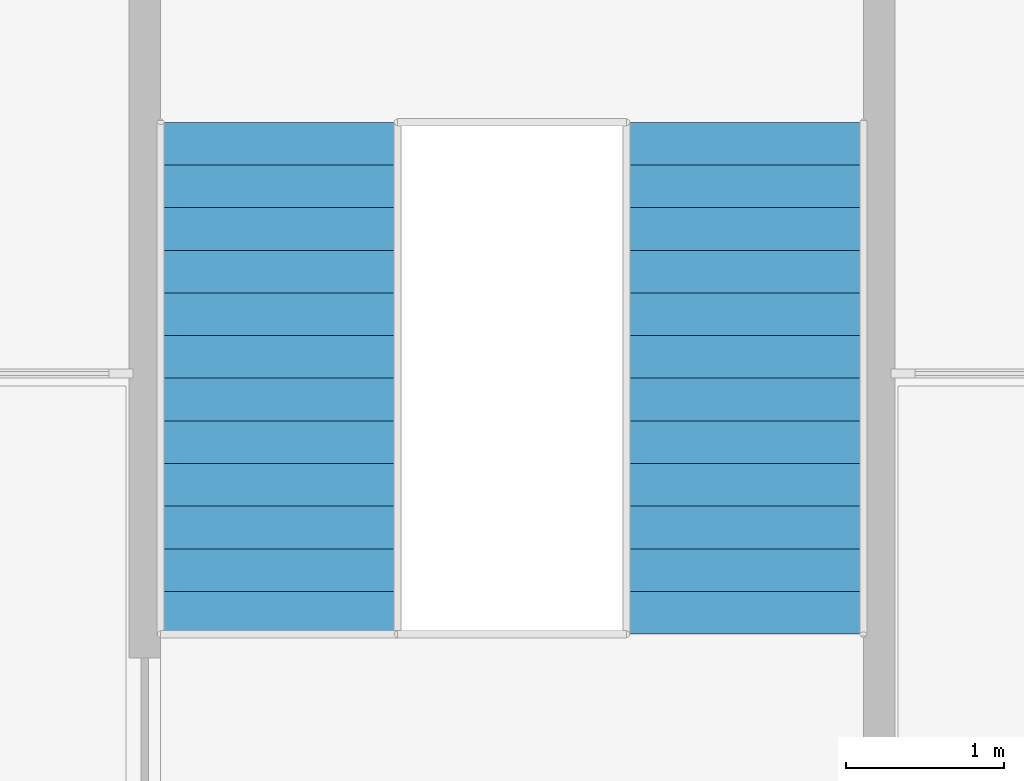
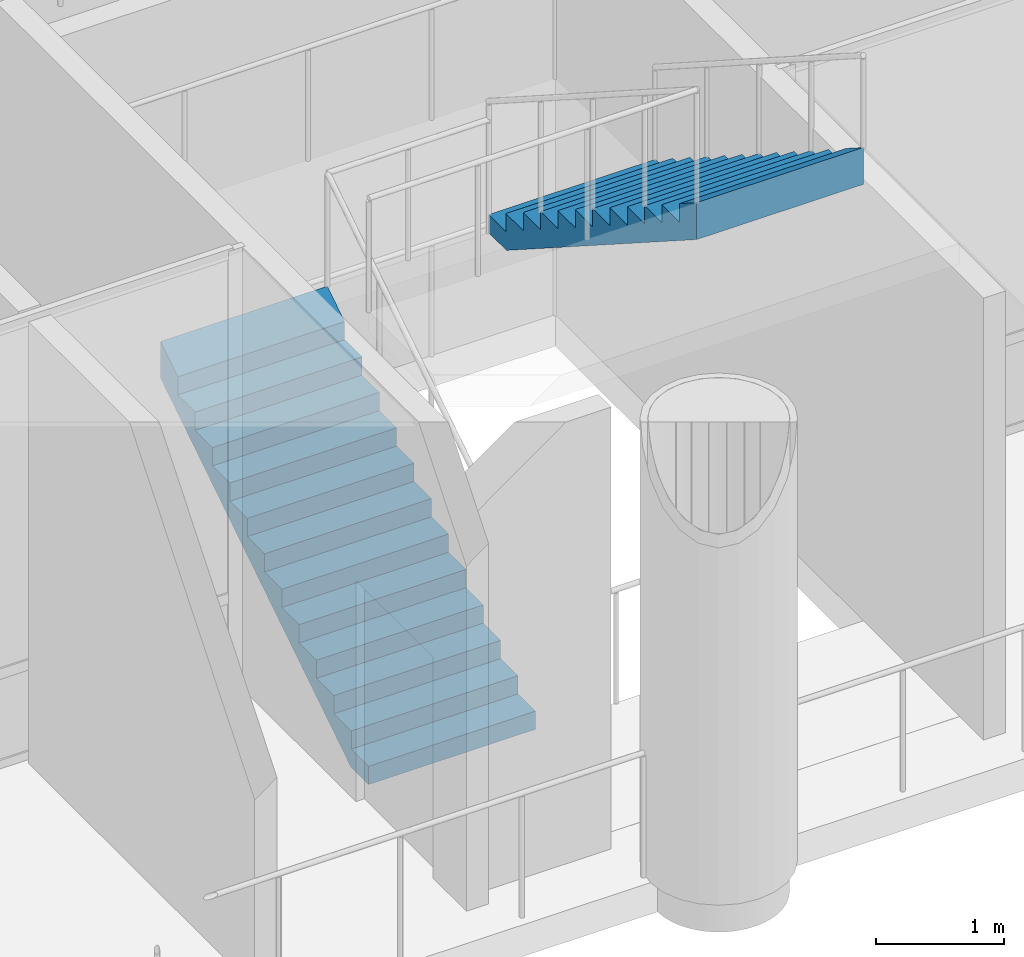
# One storey, part 16 of 24: 2 stair flights, 1 element without a shape of its own.
"""IFC4 building model written with IfcOpenShell, lengths in metres."""

from ifc_helpers import new_model, si_unit, direction, frame, origin, place, context, subcontext, project, spatial, triangles, material, type_object, element, aggregate, save


model = new_model("IFC4")

# Units and contexts
model_context = context("Model", 3, precision=1e-05, world=origin(), true_north=direction((0.0, 1.0)))
body_context = subcontext(model_context, "Body", "Model", "MODEL_VIEW")
ifc_project = project(units=[si_unit("LENGTHUNIT", "METRE"), si_unit("AREAUNIT", "SQUARE_METRE"), si_unit("VOLUMEUNIT", "CUBIC_METRE"), si_unit("PLANEANGLEUNIT", "RADIAN"), si_unit("MASSUNIT", "GRAM", prefix="KILO")], contexts=[model_context])

# Site, building, storey
site_placement = place(None, origin())
site = spatial("IfcSite", under=ifc_project, at=site_placement, CompositionType="ELEMENT")
building_placement = place(site_placement, origin())
building = spatial("IfcBuilding", under=site, at=building_placement, Name="Ludao Terraces", CompositionType="ELEMENT")
storey_placement = place(building_placement, frame((0.0, 0.0, 6.0)))
storey = spatial("IfcBuildingStorey", under=building, at=storey_placement, Name="L01", CompositionType="ELEMENT", Elevation=6.0)

# Stair, stair flights
ifc_material = material(Name="Concrete C40", Category="concrete")
stair_type = type_object("IfcStairType", Name="INT Stair", PredefinedType="HALF_TURN_STAIR", material=ifc_material)
stair_placement = place(storey_placement, origin())
stair = element("IfcStair", 1, at=stair_placement, inside=storey, type_object=stair_type, Name="EXIT STAIR 4", PredefinedType="HALF_TURN_STAIR")
stair_flight_type = type_object("IfcStairFlightType", Name="INT Stair flight", PredefinedType="STRAIGHT", material=ifc_material)
stair_flight_1_placement = place(storey_placement, frame((60.5, 28.25, 0.0), z_axis=(0.0, 0.0, 1.0), x_axis=(0.0, 1.0, 0.0)))
stair_flight_1 = element("IfcStairFlight", 2, at=stair_flight_1_placement, type_object=stair_flight_type, Name="ST4 flight 1", NumberOfRisers=13, NumberOfTreads=12, PredefinedType="STRAIGHT", RiserHeight=0.173077, TreadLength=0.27, context=body_context, shape_type="Tessellation", body=[
    triangles([(0.0, -0.75, 0.0), (0.0, -0.5, 0.0), (0.0, -0.25, 0.0), (0.0, 0.0, 0.0), (0.0, 0.25, 0.0), (0.0, 0.5, 0.0), (0.0, 0.75, 0.0), (0.0, -0.75, 0.173095703125), (0.0, -0.5, 0.173095703125), (0.0, -0.25, 0.173095703125), (0.0, 0.0, 0.173095703125), (0.0, 0.25, 0.173095703125), (0.0, 0.5, 0.173095703125), (0.0, 0.75, 0.173095703125), (0.27001953125, -0.75, 0.173095703125), (0.27001953125, -0.5, 0.173095703125), (0.27001953125, -0.25, 0.173095703125), (0.27001953125, 0.0, 0.173095703125), (0.27001953125, 0.25, 0.173095703125), (0.27001953125, 0.5, 0.173095703125), (0.27001953125, 0.75, 0.173095703125), (0.27001953125, -0.75, 0.34619140625), (0.27001953125, -0.5, 0.34619140625), (0.27001953125, -0.25, 0.34619140625), (0.27001953125, 0.0, 0.34619140625), (0.27001953125, 0.25, 0.34619140625), (0.27001953125, 0.5, 0.34619140625), (0.27001953125, 0.75, 0.34619140625), (0.5400390625, -0.75, 0.34619140625), (0.5400390625, -0.5, 0.34619140625), (0.5400390625, -0.25, 0.34619140625), (0.5400390625, 0.0, 0.34619140625), (0.5400390625, 0.25, 0.34619140625), (0.5400390625, 0.5, 0.34619140625), (0.5400390625, 0.75, 0.34619140625), (0.5400390625, -0.75, 0.519287109375), (0.5400390625, -0.5, 0.519287109375), (0.5400390625, -0.25, 0.519287109375), (0.5400390625, 0.0, 0.519287109375), (0.5400390625, 0.25, 0.519287109375), (0.5400390625, 0.5, 0.519287109375), (0.5400390625, 0.75, 0.519287109375), (0.81005859375, -0.75, 0.519287109375), (0.81005859375, -0.5, 0.519287109375), (0.81005859375, -0.25, 0.519287109375), (0.81005859375, 0.0, 0.519287109375), (0.81005859375, 0.25, 0.519287109375), (0.81005859375, 0.5, 0.519287109375), (0.81005859375, 0.75, 0.519287109375), (0.81005859375, -0.75, 0.6923828125), (0.81005859375, -0.5, 0.6923828125), (0.81005859375, -0.25, 0.6923828125), (0.81005859375, 0.0, 0.6923828125), (0.81005859375, 0.25, 0.6923828125), (0.81005859375, 0.5, 0.6923828125), (0.81005859375, 0.75, 0.6923828125), (1.080078125, -0.75, 0.6923828125), (1.080078125, -0.5, 0.6923828125), (1.080078125, -0.25, 0.6923828125), (1.080078125, 0.0, 0.6923828125), (1.080078125, 0.25, 0.6923828125), (1.080078125, 0.5, 0.6923828125), (1.080078125, 0.75, 0.6923828125), (1.080078125, -0.75, 0.865478515625), (1.080078125, -0.5, 0.865478515625), (1.080078125, -0.25, 0.865478515625), (1.080078125, 0.0, 0.865478515625), (1.080078125, 0.25, 0.865478515625), (1.080078125, 0.5, 0.865478515625), (1.080078125, 0.75, 0.865478515625), (1.35009765625, -0.75, 0.865478515625), (1.35009765625, -0.5, 0.865478515625), (1.35009765625, -0.25, 0.865478515625), (1.35009765625, 0.0, 0.865478515625), (1.35009765625, 0.25, 0.865478515625), (1.35009765625, 0.5, 0.865478515625), (1.35009765625, 0.75, 0.865478515625), (1.35009765625, -0.75, 1.03857421875), (1.35009765625, -0.5, 1.03857421875), (1.35009765625, -0.25, 1.03857421875), (1.35009765625, 0.0, 1.03857421875), (1.35009765625, 0.25, 1.03857421875), (1.35009765625, 0.5, 1.03857421875), (1.35009765625, 0.75, 1.03857421875), (1.6201171875, -0.75, 1.03857421875), (1.6201171875, -0.5, 1.03857421875), (1.6201171875, -0.25, 1.03857421875), (1.6201171875, 0.0, 1.03857421875), (1.6201171875, 0.25, 1.03857421875), (1.6201171875, 0.5, 1.03857421875), (1.6201171875, 0.75, 1.03857421875), (1.6201171875, -0.75, 1.21142578125), (1.6201171875, -0.5, 1.21142578125), (1.6201171875, -0.25, 1.21142578125), (1.6201171875, 0.0, 1.21142578125), (1.6201171875, 0.25, 1.21142578125), (1.6201171875, 0.5, 1.21142578125), (1.6201171875, 0.75, 1.21142578125), (1.889892578125, -0.75, 1.21142578125), (1.889892578125, -0.5, 1.21142578125), (1.889892578125, -0.25, 1.21142578125), (1.889892578125, 0.0, 1.21142578125), (1.889892578125, 0.25, 1.21142578125), (1.889892578125, 0.5, 1.21142578125), (1.889892578125, 0.75, 1.21142578125), (1.889892578125, -0.75, 1.384521484375), (1.889892578125, -0.5, 1.384521484375), (1.889892578125, -0.25, 1.384521484375), (1.889892578125, 0.0, 1.384521484375), (1.889892578125, 0.25, 1.384521484375), (1.889892578125, 0.5, 1.384521484375), (1.889892578125, 0.75, 1.384521484375), (2.159912109375, -0.75, 1.384521484375), (2.159912109375, -0.5, 1.384521484375), (2.159912109375, -0.25, 1.384521484375), (2.159912109375, 0.0, 1.384521484375), (2.159912109375, 0.25, 1.384521484375), (2.159912109375, 0.5, 1.384521484375), (2.159912109375, 0.75, 1.384521484375), (2.159912109375, -0.75, 1.5576171875), (2.159912109375, -0.5, 1.5576171875), (2.159912109375, -0.25, 1.5576171875), (2.159912109375, 0.0, 1.5576171875), (2.159912109375, 0.25, 1.5576171875), (2.159912109375, 0.5, 1.5576171875), (2.159912109375, 0.75, 1.5576171875), (2.429931640625, -0.75, 1.5576171875), (2.429931640625, -0.5, 1.5576171875), (2.429931640625, -0.25, 1.5576171875), (2.429931640625, 0.0, 1.5576171875), (2.429931640625, 0.25, 1.5576171875), (2.429931640625, 0.5, 1.5576171875), (2.429931640625, 0.75, 1.5576171875), (2.429931640625, -0.75, 1.730712890625), (2.429931640625, -0.5, 1.730712890625), (2.429931640625, -0.25, 1.730712890625), (2.429931640625, 0.0, 1.730712890625), (2.429931640625, 0.25, 1.730712890625), (2.429931640625, 0.5, 1.730712890625), (2.429931640625, 0.75, 1.730712890625), (2.699951171875, -0.75, 1.730712890625), (2.699951171875, -0.5, 1.730712890625), (2.699951171875, -0.25, 1.730712890625), (2.699951171875, 0.0, 1.730712890625), (2.699951171875, 0.25, 1.730712890625), (2.699951171875, 0.5, 1.730712890625), (2.699951171875, 0.75, 1.730712890625), (2.699951171875, -0.75, 1.90380859375), (2.699951171875, -0.5, 1.90380859375), (2.699951171875, -0.25, 1.90380859375), (2.699951171875, 0.0, 1.90380859375), (2.699951171875, 0.25, 1.90380859375), (2.699951171875, 0.5, 1.90380859375), (2.699951171875, 0.75, 1.90380859375), (2.969970703125, -0.75, 1.90380859375), (2.969970703125, -0.5, 1.90380859375), (2.969970703125, -0.25, 1.90380859375), (2.969970703125, 0.0, 1.90380859375), (2.969970703125, 0.25, 1.90380859375), (2.969970703125, 0.5, 1.90380859375), (2.969970703125, 0.75, 1.90380859375), (2.969970703125, -0.75, 2.076904296875), (2.969970703125, -0.5, 2.076904296875), (2.969970703125, -0.25, 2.076904296875), (2.969970703125, 0.0, 2.076904296875), (2.969970703125, 0.25, 2.076904296875), (2.969970703125, 0.5, 2.076904296875), (2.969970703125, 0.75, 2.076904296875), (3.239990234375, -0.75, 2.25), (3.239990234375, -0.5, 2.25), (3.239990234375, -0.25, 2.25), (3.239990234375, 0.0, 2.25), (3.239990234375, 0.25, 2.25), (3.239990234375, 0.5, 2.25), (3.239990234375, 0.75, 2.25), (3.239990234375, -0.75, 1.89892578125), (3.239990234375, -0.5, 1.89892578125), (3.239990234375, -0.25, 1.89892578125), (3.239990234375, 0.0, 1.89892578125), (3.239990234375, 0.25, 1.89892578125), (3.239990234375, 0.5, 1.89892578125), (3.239990234375, 0.75, 1.89892578125), (0.27783203125, -0.75, 0.0), (0.27783203125, -0.5, 0.0), (0.27783203125, -0.25, 0.0), (0.27783203125, 0.0, 0.0), (0.27783203125, 0.25, 0.0), (0.27783203125, 0.5, 0.0), (0.27783203125, 0.75, 0.0)], [[1, 183, 176], [7, 182, 189], [176, 169, 162], [182, 168, 175], [176, 162, 155], [182, 161, 168], [176, 155, 148], [182, 154, 161], [176, 148, 141], [182, 147, 154], [141, 134, 127], [147, 133, 140], [176, 141, 127], [182, 133, 147], [127, 120, 113], [133, 119, 126], [176, 127, 113], [182, 119, 133], [113, 106, 99], [119, 105, 112], [176, 113, 99], [182, 105, 119], [1, 176, 99], [7, 105, 182], [99, 92, 85], [105, 91, 98], [85, 78, 71], [91, 77, 84], [99, 85, 71], [105, 77, 91], [71, 64, 57], [77, 63, 70], [99, 71, 57], [105, 63, 77], [57, 50, 43], [63, 49, 56], [99, 57, 43], [105, 49, 63], [43, 36, 29], [49, 35, 42], [99, 43, 29], [105, 35, 49], [29, 22, 15], [35, 21, 28], [99, 29, 15], [105, 21, 35], [1, 99, 15], [7, 21, 105], [15, 8, 1], [21, 7, 14], [1, 9, 2], [1, 8, 9], [2, 10, 3], [2, 9, 10], [3, 11, 4], [3, 10, 11], [4, 12, 5], [4, 11, 12], [5, 13, 6], [5, 12, 13], [6, 14, 7], [6, 13, 14], [8, 16, 9], [8, 15, 16], [9, 17, 10], [9, 16, 17], [10, 18, 11], [10, 17, 18], [11, 19, 12], [11, 18, 19], [12, 20, 13], [12, 19, 20], [13, 21, 14], [13, 20, 21], [15, 23, 16], [15, 22, 23], [16, 24, 17], [16, 23, 24], [17, 25, 18], [17, 24, 25], [18, 26, 19], [18, 25, 26], [19, 27, 20], [19, 26, 27], [20, 28, 21], [20, 27, 28], [22, 30, 23], [22, 29, 30], [23, 31, 24], [23, 30, 31], [24, 32, 25], [24, 31, 32], [25, 33, 26], [25, 32, 33], [26, 34, 27], [26, 33, 34], [27, 35, 28], [27, 34, 35], [29, 37, 30], [29, 36, 37], [30, 38, 31], [30, 37, 38], [31, 39, 32], [31, 38, 39], [32, 40, 33], [32, 39, 40], [33, 41, 34], [33, 40, 41], [34, 42, 35], [34, 41, 42], [36, 44, 37], [36, 43, 44], [37, 45, 38], [37, 44, 45], [38, 46, 39], [38, 45, 46], [39, 47, 40], [39, 46, 47], [40, 48, 41], [40, 47, 48], [41, 49, 42], [41, 48, 49], [43, 51, 44], [43, 50, 51], [44, 52, 45], [44, 51, 52], [45, 53, 46], [45, 52, 53], [46, 54, 47], [46, 53, 54], [47, 55, 48], [47, 54, 55], [48, 56, 49], [48, 55, 56], [50, 58, 51], [50, 57, 58], [51, 59, 52], [51, 58, 59], [52, 60, 53], [52, 59, 60], [53, 61, 54], [53, 60, 61], [54, 62, 55], [54, 61, 62], [55, 63, 56], [55, 62, 63], [57, 65, 58], [57, 64, 65], [58, 66, 59], [58, 65, 66], [59, 67, 60], [59, 66, 67], [60, 68, 61], [60, 67, 68], [61, 69, 62], [61, 68, 69], [62, 70, 63], [62, 69, 70], [64, 72, 65], [64, 71, 72], [65, 73, 66], [65, 72, 73], [66, 74, 67], [66, 73, 74], [67, 75, 68], [67, 74, 75], [68, 76, 69], [68, 75, 76], [69, 77, 70], [69, 76, 77], [71, 79, 72], [71, 78, 79], [72, 80, 73], [72, 79, 80], [73, 81, 74], [73, 80, 81], [74, 82, 75], [74, 81, 82], [75, 83, 76], [75, 82, 83], [76, 84, 77], [76, 83, 84], [78, 86, 79], [78, 85, 86], [79, 87, 80], [79, 86, 87], [80, 88, 81], [80, 87, 88], [81, 89, 82], [81, 88, 89], [82, 90, 83], [82, 89, 90], [83, 91, 84], [83, 90, 91], [85, 93, 86], [85, 92, 93], [86, 94, 87], [86, 93, 94], [87, 95, 88], [87, 94, 95], [88, 96, 89], [88, 95, 96], [89, 97, 90], [89, 96, 97], [90, 98, 91], [90, 97, 98], [92, 100, 93], [92, 99, 100], [93, 101, 94], [93, 100, 101], [94, 102, 95], [94, 101, 102], [95, 103, 96], [95, 102, 103], [96, 104, 97], [96, 103, 104], [97, 105, 98], [97, 104, 105], [99, 107, 100], [99, 106, 107], [100, 108, 101], [100, 107, 108], [101, 109, 102], [101, 108, 109], [102, 110, 103], [102, 109, 110], [103, 111, 104], [103, 110, 111], [104, 112, 105], [104, 111, 112], [106, 114, 107], [106, 113, 114], [107, 115, 108], [107, 114, 115], [108, 116, 109], [108, 115, 116], [109, 117, 110], [109, 116, 117], [110, 118, 111], [110, 117, 118], [111, 119, 112], [111, 118, 119], [113, 121, 114], [113, 120, 121], [114, 122, 115], [114, 121, 122], [115, 123, 116], [115, 122, 123], [116, 124, 117], [116, 123, 124], [117, 125, 118], [117, 124, 125], [118, 126, 119], [118, 125, 126], [120, 128, 121], [120, 127, 128], [121, 129, 122], [121, 128, 129], [122, 130, 123], [122, 129, 130], [123, 131, 124], [123, 130, 131], [124, 132, 125], [124, 131, 132], [125, 133, 126], [125, 132, 133], [127, 135, 128], [127, 134, 135], [128, 136, 129], [128, 135, 136], [129, 137, 130], [129, 136, 137], [130, 138, 131], [130, 137, 138], [131, 139, 132], [131, 138, 139], [132, 140, 133], [132, 139, 140], [134, 142, 135], [134, 141, 142], [135, 143, 136], [135, 142, 143], [136, 144, 137], [136, 143, 144], [137, 145, 138], [137, 144, 145], [138, 146, 139], [138, 145, 146], [139, 147, 140], [139, 146, 147], [141, 149, 142], [141, 148, 149], [142, 150, 143], [142, 149, 150], [143, 151, 144], [143, 150, 151], [144, 152, 145], [144, 151, 152], [145, 153, 146], [145, 152, 153], [146, 154, 147], [146, 153, 154], [148, 156, 149], [148, 155, 156], [149, 157, 150], [149, 156, 157], [150, 158, 151], [150, 157, 158], [151, 159, 152], [151, 158, 159], [152, 160, 153], [152, 159, 160], [153, 161, 154], [153, 160, 161], [155, 163, 156], [155, 162, 163], [156, 164, 157], [156, 163, 164], [157, 165, 158], [157, 164, 165], [158, 166, 159], [158, 165, 166], [159, 167, 160], [159, 166, 167], [160, 168, 161], [160, 167, 168], [162, 170, 163], [162, 169, 170], [163, 171, 164], [163, 170, 171], [164, 172, 165], [164, 171, 172], [165, 173, 166], [165, 172, 173], [166, 174, 167], [166, 173, 174], [167, 175, 168], [167, 174, 175], [169, 177, 170], [169, 176, 177], [170, 178, 171], [170, 177, 178], [171, 179, 172], [171, 178, 179], [172, 180, 173], [172, 179, 180], [173, 181, 174], [173, 180, 181], [174, 182, 175], [174, 181, 182], [176, 184, 177], [176, 183, 184], [177, 185, 178], [177, 184, 185], [178, 186, 179], [178, 185, 186], [179, 187, 180], [179, 186, 187], [180, 188, 181], [180, 187, 188], [181, 189, 182], [181, 188, 189], [183, 2, 184], [183, 1, 2], [184, 3, 185], [184, 2, 3], [185, 4, 186], [185, 3, 4], [186, 5, 187], [186, 4, 5], [187, 6, 188], [187, 5, 6], [188, 7, 189], [188, 6, 7]], closed=True),
])
stair_flight_2_placement = place(storey_placement, frame((63.449951171875, 31.489990234375, 2.25), z_axis=(0.0, 0.0, 1.0), x_axis=(0.0, -1.0, 0.0)))
stair_flight_2 = element("IfcStairFlight", 3, at=stair_flight_2_placement, type_object=stair_flight_type, Name="ST4 flight 2", NumberOfRisers=13, NumberOfTreads=12, PredefinedType="STRAIGHT", RiserHeight=0.173077, TreadLength=0.27, context=body_context, shape_type="Tessellation", body=[
    triangles([(0.0, -0.75, 0.0), (0.0, -0.5, 0.0), (0.0, -0.25, 0.0), (0.0, 0.0, 0.0), (0.0, 0.25, 0.0), (0.0, 0.5, 0.0), (0.0, 0.75, 0.0), (0.0, -0.75, 0.173095703125), (0.0, -0.5, 0.173095703125), (0.0, -0.25, 0.173095703125), (0.0, 0.0, 0.173095703125), (0.0, 0.25, 0.173095703125), (0.0, 0.5, 0.173095703125), (0.0, 0.75, 0.173095703125), (0.27001953125, -0.75, 0.173095703125), (0.27001953125, -0.5, 0.173095703125), (0.27001953125, -0.25, 0.173095703125), (0.27001953125, 0.0, 0.173095703125), (0.27001953125, 0.25, 0.173095703125), (0.27001953125, 0.5, 0.173095703125), (0.27001953125, 0.75, 0.173095703125), (0.27001953125, -0.75, 0.34619140625), (0.27001953125, -0.5, 0.34619140625), (0.27001953125, -0.25, 0.34619140625), (0.27001953125, 0.0, 0.34619140625), (0.27001953125, 0.25, 0.34619140625), (0.27001953125, 0.5, 0.34619140625), (0.27001953125, 0.75, 0.34619140625), (0.5400390625, -0.75, 0.34619140625), (0.5400390625, -0.5, 0.34619140625), (0.5400390625, -0.25, 0.34619140625), (0.5400390625, 0.0, 0.34619140625), (0.5400390625, 0.25, 0.34619140625), (0.5400390625, 0.5, 0.34619140625), (0.5400390625, 0.75, 0.34619140625), (0.5400390625, -0.75, 0.519287109375), (0.5400390625, -0.5, 0.519287109375), (0.5400390625, -0.25, 0.519287109375), (0.5400390625, 0.0, 0.519287109375), (0.5400390625, 0.25, 0.519287109375), (0.5400390625, 0.5, 0.519287109375), (0.5400390625, 0.75, 0.519287109375), (0.81005859375, -0.75, 0.519287109375), (0.81005859375, -0.5, 0.519287109375), (0.81005859375, -0.25, 0.519287109375), (0.81005859375, 0.0, 0.519287109375), (0.81005859375, 0.25, 0.519287109375), (0.81005859375, 0.5, 0.519287109375), (0.81005859375, 0.75, 0.519287109375), (0.81005859375, -0.75, 0.6923828125), (0.81005859375, -0.5, 0.6923828125), (0.81005859375, -0.25, 0.6923828125), (0.81005859375, 0.0, 0.6923828125), (0.81005859375, 0.25, 0.6923828125), (0.81005859375, 0.5, 0.6923828125), (0.81005859375, 0.75, 0.6923828125), (1.080078125, -0.75, 0.6923828125), (1.080078125, -0.5, 0.6923828125), (1.080078125, -0.25, 0.6923828125), (1.080078125, 0.0, 0.6923828125), (1.080078125, 0.25, 0.6923828125), (1.080078125, 0.5, 0.6923828125), (1.080078125, 0.75, 0.6923828125), (1.080078125, -0.75, 0.865478515625), (1.080078125, -0.5, 0.865478515625), (1.080078125, -0.25, 0.865478515625), (1.080078125, 0.0, 0.865478515625), (1.080078125, 0.25, 0.865478515625), (1.080078125, 0.5, 0.865478515625), (1.080078125, 0.75, 0.865478515625), (1.35009765625, -0.75, 0.865478515625), (1.35009765625, -0.5, 0.865478515625), (1.35009765625, -0.25, 0.865478515625), (1.35009765625, 0.0, 0.865478515625), (1.35009765625, 0.25, 0.865478515625), (1.35009765625, 0.5, 0.865478515625), (1.35009765625, 0.75, 0.865478515625), (1.35009765625, -0.75, 1.03857421875), (1.35009765625, -0.5, 1.03857421875), (1.35009765625, -0.25, 1.03857421875), (1.35009765625, 0.0, 1.03857421875), (1.35009765625, 0.25, 1.03857421875), (1.35009765625, 0.5, 1.03857421875), (1.35009765625, 0.75, 1.03857421875), (1.6201171875, -0.75, 1.03857421875), (1.6201171875, -0.5, 1.03857421875), (1.6201171875, -0.25, 1.03857421875), (1.6201171875, 0.0, 1.03857421875), (1.6201171875, 0.25, 1.03857421875), (1.6201171875, 0.5, 1.03857421875), (1.6201171875, 0.75, 1.03857421875), (1.6201171875, -0.75, 1.21142578125), (1.6201171875, -0.5, 1.21142578125), (1.6201171875, -0.25, 1.21142578125), (1.6201171875, 0.0, 1.21142578125), (1.6201171875, 0.25, 1.21142578125), (1.6201171875, 0.5, 1.21142578125), (1.6201171875, 0.75, 1.21142578125), (1.889892578125, -0.75, 1.21142578125), (1.889892578125, -0.5, 1.21142578125), (1.889892578125, -0.25, 1.21142578125), (1.889892578125, 0.0, 1.21142578125), (1.889892578125, 0.25, 1.21142578125), (1.889892578125, 0.5, 1.21142578125), (1.889892578125, 0.75, 1.21142578125), (1.889892578125, -0.75, 1.384521484375), (1.889892578125, -0.5, 1.384521484375), (1.889892578125, -0.25, 1.384521484375), (1.889892578125, 0.0, 1.384521484375), (1.889892578125, 0.25, 1.384521484375), (1.889892578125, 0.5, 1.384521484375), (1.889892578125, 0.75, 1.384521484375), (2.159912109375, -0.75, 1.384521484375), (2.159912109375, -0.5, 1.384521484375), (2.159912109375, -0.25, 1.384521484375), (2.159912109375, 0.0, 1.384521484375), (2.159912109375, 0.25, 1.384521484375), (2.159912109375, 0.5, 1.384521484375), (2.159912109375, 0.75, 1.384521484375), (2.159912109375, -0.75, 1.5576171875), (2.159912109375, -0.5, 1.5576171875), (2.159912109375, -0.25, 1.5576171875), (2.159912109375, 0.0, 1.5576171875), (2.159912109375, 0.25, 1.5576171875), (2.159912109375, 0.5, 1.5576171875), (2.159912109375, 0.75, 1.5576171875), (2.429931640625, -0.75, 1.5576171875), (2.429931640625, -0.5, 1.5576171875), (2.429931640625, -0.25, 1.5576171875), (2.429931640625, 0.0, 1.5576171875), (2.429931640625, 0.25, 1.5576171875), (2.429931640625, 0.5, 1.5576171875), (2.429931640625, 0.75, 1.5576171875), (2.429931640625, -0.75, 1.730712890625), (2.429931640625, -0.5, 1.730712890625), (2.429931640625, -0.25, 1.730712890625), (2.429931640625, 0.0, 1.730712890625), (2.429931640625, 0.25, 1.730712890625), (2.429931640625, 0.5, 1.730712890625), (2.429931640625, 0.75, 1.730712890625), (2.699951171875, -0.75, 1.730712890625), (2.699951171875, -0.5, 1.730712890625), (2.699951171875, -0.25, 1.730712890625), (2.699951171875, 0.0, 1.730712890625), (2.699951171875, 0.25, 1.730712890625), (2.699951171875, 0.5, 1.730712890625), (2.699951171875, 0.75, 1.730712890625), (2.699951171875, -0.75, 1.90380859375), (2.699951171875, -0.5, 1.90380859375), (2.699951171875, -0.25, 1.90380859375), (2.699951171875, 0.0, 1.90380859375), (2.699951171875, 0.25, 1.90380859375), (2.699951171875, 0.5, 1.90380859375), (2.699951171875, 0.75, 1.90380859375), (2.969970703125, -0.75, 1.90380859375), (2.969970703125, -0.5, 1.90380859375), (2.969970703125, -0.25, 1.90380859375), (2.969970703125, 0.0, 1.90380859375), (2.969970703125, 0.25, 1.90380859375), (2.969970703125, 0.5, 1.90380859375), (2.969970703125, 0.75, 1.90380859375), (2.969970703125, -0.75, 2.076904296875), (2.969970703125, -0.5, 2.076904296875), (2.969970703125, -0.25, 2.076904296875), (2.969970703125, 0.0, 2.076904296875), (2.969970703125, 0.25, 2.076904296875), (2.969970703125, 0.5, 2.076904296875), (2.969970703125, 0.75, 2.076904296875), (3.239990234375, -0.75, 2.25), (3.239990234375, -0.5, 2.25), (3.239990234375, -0.25, 2.25), (3.239990234375, 0.0, 2.25), (3.239990234375, 0.25, 2.25), (3.239990234375, 0.5, 2.25), (3.239990234375, 0.75, 2.25), (3.239990234375, -0.75, 1.89892578125), (3.239990234375, -0.5, 1.89892578125), (3.239990234375, -0.25, 1.89892578125), (3.239990234375, 0.0, 1.89892578125), (3.239990234375, 0.25, 1.89892578125), (3.239990234375, 0.5, 1.89892578125), (3.239990234375, 0.75, 1.89892578125), (0.27783203125, -0.75, 0.0), (0.27783203125, -0.5, 0.0), (0.27783203125, -0.25, 0.0), (0.27783203125, 0.0, 0.0), (0.27783203125, 0.25, 0.0), (0.27783203125, 0.5, 0.0), (0.27783203125, 0.75, 0.0)], [[1, 183, 176], [7, 182, 189], [176, 169, 162], [182, 168, 175], [176, 162, 155], [182, 161, 168], [176, 155, 148], [182, 154, 161], [176, 148, 141], [182, 147, 154], [141, 134, 127], [147, 133, 140], [176, 141, 127], [182, 133, 147], [127, 120, 113], [133, 119, 126], [176, 127, 113], [182, 119, 133], [113, 106, 99], [119, 105, 112], [176, 113, 99], [182, 105, 119], [1, 176, 99], [7, 105, 182], [99, 92, 85], [105, 91, 98], [85, 78, 71], [91, 77, 84], [99, 85, 71], [105, 77, 91], [71, 64, 57], [77, 63, 70], [99, 71, 57], [105, 63, 77], [57, 50, 43], [63, 49, 56], [99, 57, 43], [105, 49, 63], [43, 36, 29], [49, 35, 42], [99, 43, 29], [105, 35, 49], [29, 22, 15], [35, 21, 28], [99, 29, 15], [105, 21, 35], [1, 99, 15], [7, 21, 105], [15, 8, 1], [21, 7, 14], [1, 9, 2], [1, 8, 9], [2, 10, 3], [2, 9, 10], [3, 11, 4], [3, 10, 11], [4, 12, 5], [4, 11, 12], [5, 13, 6], [5, 12, 13], [6, 14, 7], [6, 13, 14], [8, 16, 9], [8, 15, 16], [9, 17, 10], [9, 16, 17], [10, 18, 11], [10, 17, 18], [11, 19, 12], [11, 18, 19], [12, 20, 13], [12, 19, 20], [13, 21, 14], [13, 20, 21], [15, 23, 16], [15, 22, 23], [16, 24, 17], [16, 23, 24], [17, 25, 18], [17, 24, 25], [18, 26, 19], [18, 25, 26], [19, 27, 20], [19, 26, 27], [20, 28, 21], [20, 27, 28], [22, 30, 23], [22, 29, 30], [23, 31, 24], [23, 30, 31], [24, 32, 25], [24, 31, 32], [25, 33, 26], [25, 32, 33], [26, 34, 27], [26, 33, 34], [27, 35, 28], [27, 34, 35], [29, 37, 30], [29, 36, 37], [30, 38, 31], [30, 37, 38], [31, 39, 32], [31, 38, 39], [32, 40, 33], [32, 39, 40], [33, 41, 34], [33, 40, 41], [34, 42, 35], [34, 41, 42], [36, 44, 37], [36, 43, 44], [37, 45, 38], [37, 44, 45], [38, 46, 39], [38, 45, 46], [39, 47, 40], [39, 46, 47], [40, 48, 41], [40, 47, 48], [41, 49, 42], [41, 48, 49], [43, 51, 44], [43, 50, 51], [44, 52, 45], [44, 51, 52], [45, 53, 46], [45, 52, 53], [46, 54, 47], [46, 53, 54], [47, 55, 48], [47, 54, 55], [48, 56, 49], [48, 55, 56], [50, 58, 51], [50, 57, 58], [51, 59, 52], [51, 58, 59], [52, 60, 53], [52, 59, 60], [53, 61, 54], [53, 60, 61], [54, 62, 55], [54, 61, 62], [55, 63, 56], [55, 62, 63], [57, 65, 58], [57, 64, 65], [58, 66, 59], [58, 65, 66], [59, 67, 60], [59, 66, 67], [60, 68, 61], [60, 67, 68], [61, 69, 62], [61, 68, 69], [62, 70, 63], [62, 69, 70], [64, 72, 65], [64, 71, 72], [65, 73, 66], [65, 72, 73], [66, 74, 67], [66, 73, 74], [67, 75, 68], [67, 74, 75], [68, 76, 69], [68, 75, 76], [69, 77, 70], [69, 76, 77], [71, 79, 72], [71, 78, 79], [72, 80, 73], [72, 79, 80], [73, 81, 74], [73, 80, 81], [74, 82, 75], [74, 81, 82], [75, 83, 76], [75, 82, 83], [76, 84, 77], [76, 83, 84], [78, 86, 79], [78, 85, 86], [79, 87, 80], [79, 86, 87], [80, 88, 81], [80, 87, 88], [81, 89, 82], [81, 88, 89], [82, 90, 83], [82, 89, 90], [83, 91, 84], [83, 90, 91], [85, 93, 86], [85, 92, 93], [86, 94, 87], [86, 93, 94], [87, 95, 88], [87, 94, 95], [88, 96, 89], [88, 95, 96], [89, 97, 90], [89, 96, 97], [90, 98, 91], [90, 97, 98], [92, 100, 93], [92, 99, 100], [93, 101, 94], [93, 100, 101], [94, 102, 95], [94, 101, 102], [95, 103, 96], [95, 102, 103], [96, 104, 97], [96, 103, 104], [97, 105, 98], [97, 104, 105], [99, 107, 100], [99, 106, 107], [100, 108, 101], [100, 107, 108], [101, 109, 102], [101, 108, 109], [102, 110, 103], [102, 109, 110], [103, 111, 104], [103, 110, 111], [104, 112, 105], [104, 111, 112], [106, 114, 107], [106, 113, 114], [107, 115, 108], [107, 114, 115], [108, 116, 109], [108, 115, 116], [109, 117, 110], [109, 116, 117], [110, 118, 111], [110, 117, 118], [111, 119, 112], [111, 118, 119], [113, 121, 114], [113, 120, 121], [114, 122, 115], [114, 121, 122], [115, 123, 116], [115, 122, 123], [116, 124, 117], [116, 123, 124], [117, 125, 118], [117, 124, 125], [118, 126, 119], [118, 125, 126], [120, 128, 121], [120, 127, 128], [121, 129, 122], [121, 128, 129], [122, 130, 123], [122, 129, 130], [123, 131, 124], [123, 130, 131], [124, 132, 125], [124, 131, 132], [125, 133, 126], [125, 132, 133], [127, 135, 128], [127, 134, 135], [128, 136, 129], [128, 135, 136], [129, 137, 130], [129, 136, 137], [130, 138, 131], [130, 137, 138], [131, 139, 132], [131, 138, 139], [132, 140, 133], [132, 139, 140], [134, 142, 135], [134, 141, 142], [135, 143, 136], [135, 142, 143], [136, 144, 137], [136, 143, 144], [137, 145, 138], [137, 144, 145], [138, 146, 139], [138, 145, 146], [139, 147, 140], [139, 146, 147], [141, 149, 142], [141, 148, 149], [142, 150, 143], [142, 149, 150], [143, 151, 144], [143, 150, 151], [144, 152, 145], [144, 151, 152], [145, 153, 146], [145, 152, 153], [146, 154, 147], [146, 153, 154], [148, 156, 149], [148, 155, 156], [149, 157, 150], [149, 156, 157], [150, 158, 151], [150, 157, 158], [151, 159, 152], [151, 158, 159], [152, 160, 153], [152, 159, 160], [153, 161, 154], [153, 160, 161], [155, 163, 156], [155, 162, 163], [156, 164, 157], [156, 163, 164], [157, 165, 158], [157, 164, 165], [158, 166, 159], [158, 165, 166], [159, 167, 160], [159, 166, 167], [160, 168, 161], [160, 167, 168], [162, 170, 163], [162, 169, 170], [163, 171, 164], [163, 170, 171], [164, 172, 165], [164, 171, 172], [165, 173, 166], [165, 172, 173], [166, 174, 167], [166, 173, 174], [167, 175, 168], [167, 174, 175], [169, 177, 170], [169, 176, 177], [170, 178, 171], [170, 177, 178], [171, 179, 172], [171, 178, 179], [172, 180, 173], [172, 179, 180], [173, 181, 174], [173, 180, 181], [174, 182, 175], [174, 181, 182], [176, 184, 177], [176, 183, 184], [177, 185, 178], [177, 184, 185], [178, 186, 179], [178, 185, 186], [179, 187, 180], [179, 186, 187], [180, 188, 181], [180, 187, 188], [181, 189, 182], [181, 188, 189], [183, 2, 184], [183, 1, 2], [184, 3, 185], [184, 2, 3], [185, 4, 186], [185, 3, 4], [186, 5, 187], [186, 4, 5], [187, 6, 188], [187, 5, 6], [188, 7, 189], [188, 6, 7]], closed=True),
])
aggregate(stair, [stair_flight_1, stair_flight_2])

save(model, "model.ifc")
